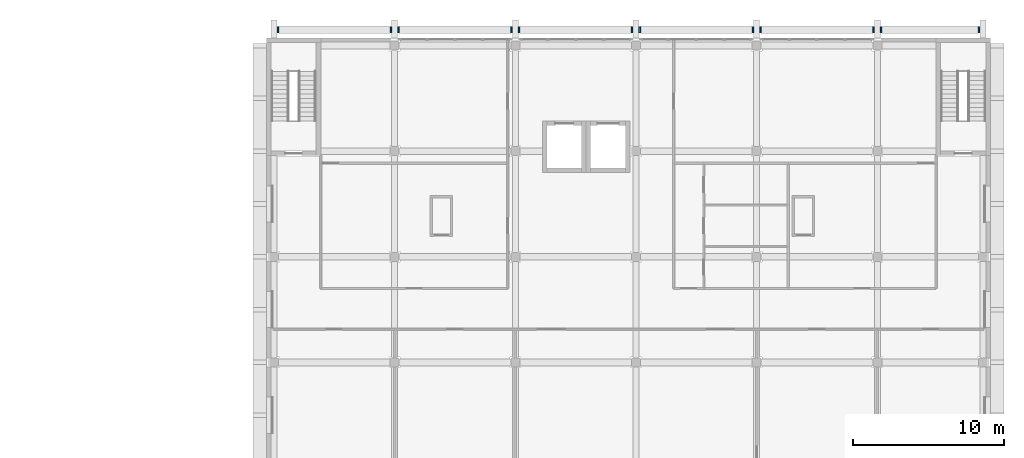
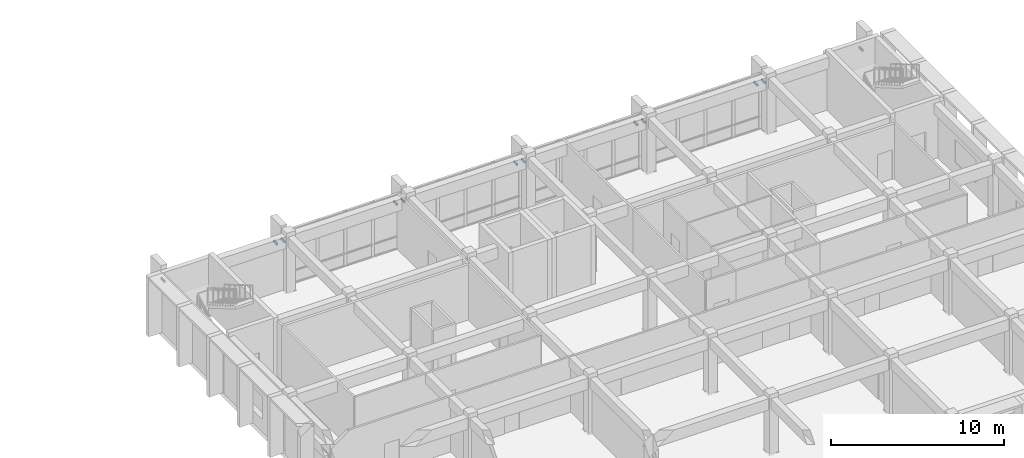
# One storey, part 40 of 43: 12 discrete accessories.
"""IFC4 building model written with IfcOpenShell, lengths in metres."""

import ifcopenshell
import ifcopenshell.guid

model = None  # the IFC model being written
_history = None  # IfcOwnerHistory: only IFC2X3 demands one
_inside = {}  # id of a spatial element -> (the spatial element, [elements in it])
_under = {}  # id of a project, library or spatial element -> (it, [spatial elements below it])
_declared = {}  # id of a project -> (the project, [libraries it declares])
_typed = {}  # id of a type object -> (the type object, [elements of that type])
_made_of = {}  # id of a material, layer set ... -> (it, [elements and type objects made of it])


def new_model(schema):
    """Start an empty IFC model of exactly this schema.

    Asked for "IFC4X3", IfcOpenShell would pick the latest addendum, in which some entities
    have other attributes; the version numbers below select the first issue.
    IFC2X3 requires an IfcOwnerHistory on every rooted entity: one is made here for all.
    """
    global model, _history
    if schema == "IFC4X3":
        model = ifcopenshell.file(schema_version=(4, 3, 0, 0))
    else:
        model = ifcopenshell.file(schema=schema)
    _inside.clear()
    _under.clear()
    _declared.clear()
    _typed.clear()
    _made_of.clear()
    _history = None
    if model.schema == "IFC2X3":
        org = make("IfcOrganization", Name="unknown")
        user = make(
            "IfcPersonAndOrganization",
            ThePerson=make("IfcPerson", FamilyName="unknown"),
            TheOrganization=org,
        )
        app = make(
            "IfcApplication",
            ApplicationDeveloper=org,
            Version="unknown",
            ApplicationFullName="unknown",
            ApplicationIdentifier="unknown",
        )
        _history = make(
            "IfcOwnerHistory",
            OwningUser=user,
            OwningApplication=app,
            ChangeAction="ADDED",
            CreationDate=0,
        )
    return model


def make(cls, **values):
    """One entity of the class cls with the attributes given. An attribute that is None is left unset."""
    return model.create_entity(
        cls, **{name: value for name, value in values.items() if value is not None}
    )


def rooted(cls, **values):
    """An entity with a GlobalId (a new one), such as an element, a storey or a relation."""
    return make(cls, GlobalId=ifcopenshell.guid.new(), OwnerHistory=_history, **values)


def si_unit(unit_type, name, prefix=None):
    """IfcSIUnit, for example si_unit("LENGTHUNIT", "METRE", prefix="MILLI")."""
    return make("IfcSIUnit", UnitType=unit_type, Prefix=prefix, Name=name)


def assignment(units):
    """IfcUnitAssignment: the units of a project."""
    return None if units is None else make("IfcUnitAssignment", Units=units)


def point(xyz):
    """IfcCartesianPoint."""
    return None if xyz is None else make("IfcCartesianPoint", Coordinates=xyz)


def direction(xyz):
    """IfcDirection."""
    return None if xyz is None else make("IfcDirection", DirectionRatios=xyz)


def frame(location, z_axis=None, x_axis=None):
    """IfcAxis2Placement3D, a coordinate frame: its origin and axes. An axis left out is left unset."""
    return make(
        "IfcAxis2Placement3D",
        Location=point(location),
        Axis=direction(z_axis),
        RefDirection=direction(x_axis),
    )


def frame_2d(location, x_axis=None):
    """IfcAxis2Placement2D, a coordinate frame in the plane: its origin and x axis."""
    return make(
        "IfcAxis2Placement2D", Location=point(location), RefDirection=direction(x_axis)
    )


def origin():
    """The frame at (0, 0, 0) with its axes left unset."""
    return frame((0.0, 0.0, 0.0))


def origin_2d():
    """The frame at (0, 0) in the plane with its x axis left unset."""
    return frame_2d((0.0, 0.0))


def place(relative_to, where):
    """IfcLocalPlacement: puts the frame where relative to a parent placement (None: the world)."""
    return make(
        "IfcLocalPlacement", PlacementRelTo=relative_to, RelativePlacement=where
    )


def context(
    kind, dimensions, precision=None, world=None, true_north=None, identifier=None
):
    """IfcGeometricRepresentationContext, for example the 3D "Model" context."""
    return make(
        "IfcGeometricRepresentationContext",
        ContextIdentifier=identifier,
        ContextType=kind,
        CoordinateSpaceDimension=dimensions,
        Precision=precision,
        WorldCoordinateSystem=world,
        TrueNorth=true_north,
    )


def subcontext(parent, identifier, kind, view, scale=None):
    """IfcGeometricRepresentationSubContext, for example "Body" below "Model"."""
    return make(
        "IfcGeometricRepresentationSubContext",
        ContextIdentifier=identifier,
        ContextType=kind,
        ParentContext=parent,
        TargetScale=scale,
        TargetView=view,
    )


def project(units=None, contexts=None):
    """IfcProject with its units and contexts."""
    return rooted(
        "IfcProject",
        Name="project",
        RepresentationContexts=contexts,
        UnitsInContext=assignment(units),
    )


def spatial(cls, under=None, at=None, **own):
    """A site, building, storey or space (cls), placed at a placement, below another one or the project."""
    s = rooted(cls, ObjectPlacement=at, **own)
    if under is not None:
        _under.setdefault(under.id(), (under, []))[1].append(s)
    return s


def profile(cls, at=None, kind="AREA", **sizes):
    """A parametric profile (cls). Its sizes go by their IFC names, for example OverallWidth=200.0."""
    return make(cls, ProfileType=kind, Position=at, **sizes)


def rectangle(**sizes):
    """IfcRectangleProfileDef."""
    return profile("IfcRectangleProfileDef", **sizes)


def extrude(swept, where, along, depth):
    """IfcExtrudedAreaSolid: the profile swept, set in the frame where, extruded along a direction by depth."""
    return make(
        "IfcExtrudedAreaSolid",
        SweptArea=swept,
        Position=where,
        ExtrudedDirection=direction(along),
        Depth=depth,
    )


def shape(context_of_items, identifier, shape_type, items):
    """IfcShapeRepresentation: the items that make up one representation, for example the "Body"."""
    return make(
        "IfcShapeRepresentation",
        ContextOfItems=context_of_items,
        RepresentationIdentifier=identifier,
        RepresentationType=shape_type,
        Items=items,
    )


def material(Name=None, Category=None):
    """IfcMaterial."""
    return make("IfcMaterial", Name=Name, Category=Category)


def made_of(thing, what):
    """Note that an element or type object is made of a material, layer set ...; save() writes the relation."""
    if what is not None:
        _made_of.setdefault(what.id(), (what, []))[1].append(thing)
    return thing


def type_object(cls, material=None, **own):
    """A type object (cls), such as IfcWallType, which elements share."""
    return made_of(rooted(cls, **own), material)


def element(
    cls,
    number,
    at=None,
    inside=None,
    cuts=None,
    type_object=None,
    material=None,
    context=None,
    identifier="Body",
    shape_type=None,
    held_by="IfcProductDefinitionShape",
    body=None,
    shapes=None,
    **own,
):
    """One element of the class cls, such as IfcWall. Its Tag is "e" and its number.

    at: its placement. inside: the storey or other place that contains it. cuts: it is an
    opening in that element (IfcRelVoidsElement). A single representation is given by context,
    identifier, shape_type and body (its items); several are given by shapes. held_by: the class
    of the entity that holds the representations. save() writes the other relations.
    """
    e = rooted(cls, Tag="e%d" % number, ObjectPlacement=at, **own)
    if body is not None:
        shapes = [shape(context, identifier, shape_type, body)]
    if shapes is not None:
        e.Representation = make(held_by, Representations=shapes)
    if inside is not None:
        _inside.setdefault(inside.id(), (inside, []))[1].append(e)
    if cuts is not None:
        rooted(
            "IfcRelVoidsElement", RelatingBuildingElement=cuts, RelatedOpeningElement=e
        )
    if type_object is not None:
        _typed.setdefault(type_object.id(), (type_object, []))[1].append(e)
    return made_of(e, material)


def aggregate(whole, parts):
    """IfcRelAggregates: a whole, such as a stair, and the parts it consists of."""
    return rooted("IfcRelAggregates", RelatingObject=whole, RelatedObjects=parts)


def save(model, path):
    """Write the relations noted so far, then the file.

    IfcRelAggregates (storeys below a building ...), IfcRelContainedInSpatialStructure (elements
    in a storey), IfcRelDefinesByType, IfcRelAssociatesMaterial and IfcRelDeclares: one each for
    every whole, place, type object, material and project.
    """
    for whole, parts in _under.values():
        aggregate(whole, parts)
    for where, things in _inside.values():
        rooted(
            "IfcRelContainedInSpatialStructure",
            RelatedElements=things,
            RelatingStructure=where,
        )
    for kind, things in _typed.values():
        rooted("IfcRelDefinesByType", RelatedObjects=things, RelatingType=kind)
    for what, things in _made_of.values():
        rooted("IfcRelAssociatesMaterial", RelatedObjects=things, RelatingMaterial=what)
    for by, libraries in _declared.values():
        rooted("IfcRelDeclares", RelatingContext=by, RelatedDefinitions=libraries)
    model.write(path)


model = new_model("IFC4")

# Units and contexts
model_context = context("Model", 3, precision=1e-05, world=origin(), true_north=direction((0.0, 1.0)))
body_context = subcontext(model_context, "Body", "Model", "MODEL_VIEW")
ifc_project = project(units=[si_unit("LENGTHUNIT", "METRE"), si_unit("AREAUNIT", "SQUARE_METRE"), si_unit("VOLUMEUNIT", "CUBIC_METRE"), si_unit("PLANEANGLEUNIT", "RADIAN"), si_unit("MASSUNIT", "GRAM", prefix="KILO")], contexts=[model_context])

# Site, building, storey
site_placement = place(None, origin())
site = spatial("IfcSite", under=ifc_project, at=site_placement, CompositionType="ELEMENT")
building_placement = place(site_placement, origin())
building = spatial("IfcBuilding", under=site, at=building_placement, Name="Elmora Arch Market Hall", CompositionType="ELEMENT")
storey_placement = place(building_placement, frame((0.0, 0.0, 10.199951171875)))
storey = spatial("IfcBuildingStorey", under=building, at=storey_placement, Name="L02", CompositionType="ELEMENT", Elevation=10.199951171875)

# Discrete accessories
ifc_material = material(Name="Steel ASTM A653 galvanised", Category="steel")
discrete_accessory_type = type_object("IfcDiscreteAccessoryType", Name="Bracket plate 100x400x150", PredefinedType="BRACKET", material=ifc_material)
for number, where, z_axis, x_axis, name in (
    (1, (86.75, 166.550048828125, 2.650146484375), (0.0, 0.0, 1.0), (1.0, 0.0, 0.0), "Bracket BLADE-SCH-N-1-L02"),
    (2, (94.25, 166.550048828125, 2.650146484375), (0.0, 0.0, 1.0), (1.0, 0.0, 0.0), "Bracket BLADE-SCH-N-1-L02"),
    (3, (94.75, 166.550048828125, 2.650146484375), (0.0, 0.0, 1.0), (1.0, 0.0, 0.0), "Bracket BLADE-SCH-N-2-L02"),
    (4, (102.25, 166.550048828125, 2.650146484375), (0.0, 0.0, 1.0), (1.0, 0.0, 0.0), "Bracket BLADE-SCH-N-2-L02"),
    (5, (102.75, 166.550048828125, 2.650146484375), (0.0, 0.0, 1.0), (1.0, 0.0, 0.0), "Bracket BLADE-SCH-N-3-L02"),
    (6, (110.25, 166.550048828125, 2.650146484375), (0.0, 0.0, 1.0), (1.0, 0.0, 0.0), "Bracket BLADE-SCH-N-3-L02"),
    (7, (110.75, 166.550048828125, 2.650146484375), (0.0, 0.0, 1.0), (1.0, 0.0, 0.0), "Bracket BLADE-SCH-N-4-L02"),
    (8, (118.25, 166.550048828125, 2.650146484375), (0.0, 0.0, 1.0), (1.0, 0.0, 0.0), "Bracket BLADE-SCH-N-4-L02"),
    (9, (118.75, 166.550048828125, 2.650146484375), (0.0, 0.0, 1.0), (1.0, 0.0, 0.0), "Bracket BLADE-SCH-N-5-L02"),
    (10, (126.25, 166.550048828125, 2.650146484375), (0.0, 0.0, 1.0), (1.0, 0.0, 0.0), "Bracket BLADE-SCH-N-5-L02"),
    (11, (126.75, 166.550048828125, 2.650146484375), (0.0, 0.0, 1.0), (1.0, 0.0, 0.0), "Bracket BLADE-SCH-N-6-L02"),
    (12, (133.25, 166.550048828125, 2.650146484375), (0.0, 0.0, 1.0), (1.0, 0.0, 0.0), "Bracket BLADE-SCH-N-6-L02"),
):
    element("IfcDiscreteAccessory", number, at=place(storey_placement, frame(where, z_axis=z_axis, x_axis=x_axis)), inside=storey, type_object=discrete_accessory_type, Name=name, PredefinedType="BRACKET", context=body_context, shape_type="SweptSolid", body=[
        extrude(rectangle(XDim=0.10009765625, YDim=0.39990234375, at=origin_2d()), origin(), (0.0, 0.0, 1.0), 0.14990234375),
    ])

save(model, "model.ifc")
